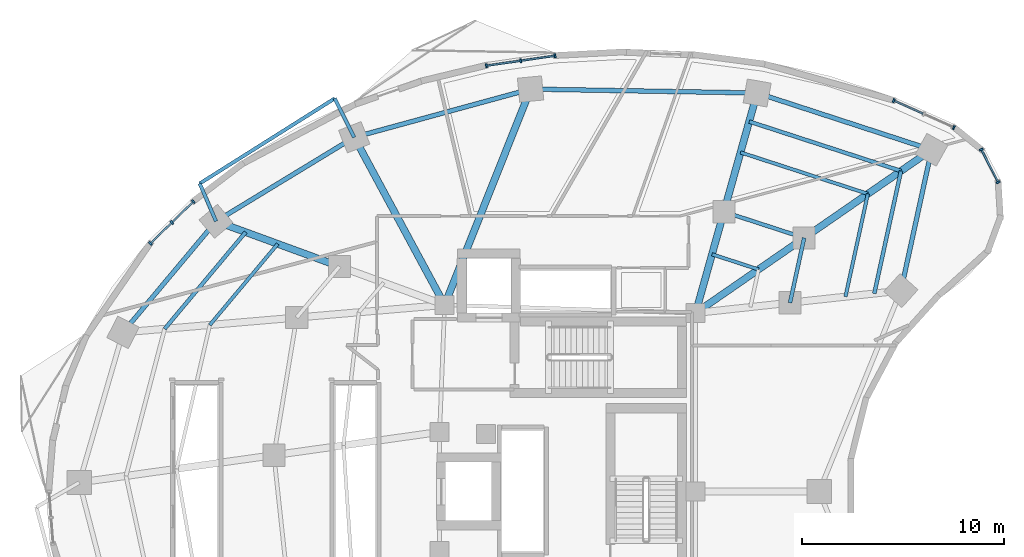
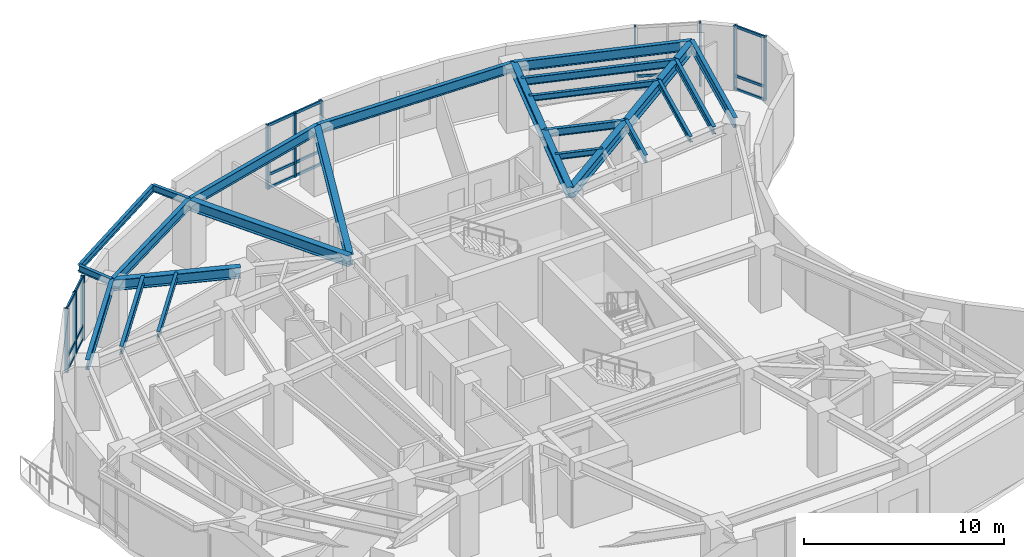
# One storey, part 5 of 12: 27 members, 25 beams, 4 elements without a shape of their own.
"""IFC4 building model written with IfcOpenShell, lengths in metres."""

import ifcopenshell
import ifcopenshell.guid

model = None  # the IFC model being written
_history = None  # IfcOwnerHistory: only IFC2X3 demands one
_inside = {}  # id of a spatial element -> (the spatial element, [elements in it])
_under = {}  # id of a project, library or spatial element -> (it, [spatial elements below it])
_declared = {}  # id of a project -> (the project, [libraries it declares])
_typed = {}  # id of a type object -> (the type object, [elements of that type])
_made_of = {}  # id of a material, layer set ... -> (it, [elements and type objects made of it])


def new_model(schema):
    """Start an empty IFC model of exactly this schema.

    Asked for "IFC4X3", IfcOpenShell would pick the latest addendum, in which some entities
    have other attributes; the version numbers below select the first issue.
    IFC2X3 requires an IfcOwnerHistory on every rooted entity: one is made here for all.
    """
    global model, _history
    if schema == "IFC4X3":
        model = ifcopenshell.file(schema_version=(4, 3, 0, 0))
    else:
        model = ifcopenshell.file(schema=schema)
    _inside.clear()
    _under.clear()
    _declared.clear()
    _typed.clear()
    _made_of.clear()
    _history = None
    if model.schema == "IFC2X3":
        org = make("IfcOrganization", Name="unknown")
        user = make(
            "IfcPersonAndOrganization",
            ThePerson=make("IfcPerson", FamilyName="unknown"),
            TheOrganization=org,
        )
        app = make(
            "IfcApplication",
            ApplicationDeveloper=org,
            Version="unknown",
            ApplicationFullName="unknown",
            ApplicationIdentifier="unknown",
        )
        _history = make(
            "IfcOwnerHistory",
            OwningUser=user,
            OwningApplication=app,
            ChangeAction="ADDED",
            CreationDate=0,
        )
    return model


def make(cls, **values):
    """One entity of the class cls with the attributes given. An attribute that is None is left unset."""
    return model.create_entity(
        cls, **{name: value for name, value in values.items() if value is not None}
    )


def rooted(cls, **values):
    """An entity with a GlobalId (a new one), such as an element, a storey or a relation."""
    return make(cls, GlobalId=ifcopenshell.guid.new(), OwnerHistory=_history, **values)


def si_unit(unit_type, name, prefix=None):
    """IfcSIUnit, for example si_unit("LENGTHUNIT", "METRE", prefix="MILLI")."""
    return make("IfcSIUnit", UnitType=unit_type, Prefix=prefix, Name=name)


def assignment(units):
    """IfcUnitAssignment: the units of a project."""
    return None if units is None else make("IfcUnitAssignment", Units=units)


def point(xyz):
    """IfcCartesianPoint."""
    return None if xyz is None else make("IfcCartesianPoint", Coordinates=xyz)


def direction(xyz):
    """IfcDirection."""
    return None if xyz is None else make("IfcDirection", DirectionRatios=xyz)


def frame(location, z_axis=None, x_axis=None):
    """IfcAxis2Placement3D, a coordinate frame: its origin and axes. An axis left out is left unset."""
    return make(
        "IfcAxis2Placement3D",
        Location=point(location),
        Axis=direction(z_axis),
        RefDirection=direction(x_axis),
    )


def frame_2d(location, x_axis=None):
    """IfcAxis2Placement2D, a coordinate frame in the plane: its origin and x axis."""
    return make(
        "IfcAxis2Placement2D", Location=point(location), RefDirection=direction(x_axis)
    )


def origin():
    """The frame at (0, 0, 0) with its axes left unset."""
    return frame((0.0, 0.0, 0.0))


def origin_2d():
    """The frame at (0, 0) in the plane with its x axis left unset."""
    return frame_2d((0.0, 0.0))


def place(relative_to, where):
    """IfcLocalPlacement: puts the frame where relative to a parent placement (None: the world)."""
    return make(
        "IfcLocalPlacement", PlacementRelTo=relative_to, RelativePlacement=where
    )


def context(
    kind, dimensions, precision=None, world=None, true_north=None, identifier=None
):
    """IfcGeometricRepresentationContext, for example the 3D "Model" context."""
    return make(
        "IfcGeometricRepresentationContext",
        ContextIdentifier=identifier,
        ContextType=kind,
        CoordinateSpaceDimension=dimensions,
        Precision=precision,
        WorldCoordinateSystem=world,
        TrueNorth=true_north,
    )


def subcontext(parent, identifier, kind, view, scale=None):
    """IfcGeometricRepresentationSubContext, for example "Body" below "Model"."""
    return make(
        "IfcGeometricRepresentationSubContext",
        ContextIdentifier=identifier,
        ContextType=kind,
        ParentContext=parent,
        TargetScale=scale,
        TargetView=view,
    )


def project(units=None, contexts=None):
    """IfcProject with its units and contexts."""
    return rooted(
        "IfcProject",
        Name="project",
        RepresentationContexts=contexts,
        UnitsInContext=assignment(units),
    )


def spatial(cls, under=None, at=None, **own):
    """A site, building, storey or space (cls), placed at a placement, below another one or the project."""
    s = rooted(cls, ObjectPlacement=at, **own)
    if under is not None:
        _under.setdefault(under.id(), (under, []))[1].append(s)
    return s


def profile(cls, at=None, kind="AREA", **sizes):
    """A parametric profile (cls). Its sizes go by their IFC names, for example OverallWidth=200.0."""
    return make(cls, ProfileType=kind, Position=at, **sizes)


def rectangle(**sizes):
    """IfcRectangleProfileDef."""
    return profile("IfcRectangleProfileDef", **sizes)


def i_section(**sizes):
    """IfcIShapeProfileDef."""
    return profile("IfcIShapeProfileDef", **sizes)


def extrude(swept, where, along, depth):
    """IfcExtrudedAreaSolid: the profile swept, set in the frame where, extruded along a direction by depth."""
    return make(
        "IfcExtrudedAreaSolid",
        SweptArea=swept,
        Position=where,
        ExtrudedDirection=direction(along),
        Depth=depth,
    )


def shape(context_of_items, identifier, shape_type, items):
    """IfcShapeRepresentation: the items that make up one representation, for example the "Body"."""
    return make(
        "IfcShapeRepresentation",
        ContextOfItems=context_of_items,
        RepresentationIdentifier=identifier,
        RepresentationType=shape_type,
        Items=items,
    )


def material(Name=None, Category=None):
    """IfcMaterial."""
    return make("IfcMaterial", Name=Name, Category=Category)


def layer(
    of_material, thickness, ventilated=None, Name=None, Category=None, Priority=None
):
    """IfcMaterialLayer: one layer of a wall or slab, of a material (None: an air gap)."""
    return make(
        "IfcMaterialLayer",
        Material=of_material,
        LayerThickness=thickness,
        IsVentilated=ventilated,
        Name=Name,
        Category=Category,
        Priority=Priority,
    )


def layer_set(layers, Name=None):
    """IfcMaterialLayerSet."""
    return make("IfcMaterialLayerSet", MaterialLayers=layers, LayerSetName=Name)


def material_profile(
    of_material, cross_section, Name=None, Category=None, Priority=None
):
    """IfcMaterialProfile: a cross section and its material."""
    return make(
        "IfcMaterialProfile",
        Name=Name,
        Material=of_material,
        Profile=cross_section,
        Priority=Priority,
        Category=Category,
    )


def profile_set(profiles, Name=None, composite=None):
    """IfcMaterialProfileSet."""
    return make(
        "IfcMaterialProfileSet",
        Name=Name,
        MaterialProfiles=profiles,
        CompositeProfile=composite,
    )


def made_of(thing, what):
    """Note that an element or type object is made of a material, layer set ...; save() writes the relation."""
    if what is not None:
        _made_of.setdefault(what.id(), (what, []))[1].append(thing)
    return thing


def type_object(cls, material=None, **own):
    """A type object (cls), such as IfcWallType, which elements share."""
    return made_of(rooted(cls, **own), material)


def element(
    cls,
    number,
    at=None,
    inside=None,
    cuts=None,
    type_object=None,
    material=None,
    context=None,
    identifier="Body",
    shape_type=None,
    held_by="IfcProductDefinitionShape",
    body=None,
    shapes=None,
    **own,
):
    """One element of the class cls, such as IfcWall. Its Tag is "e" and its number.

    at: its placement. inside: the storey or other place that contains it. cuts: it is an
    opening in that element (IfcRelVoidsElement). A single representation is given by context,
    identifier, shape_type and body (its items); several are given by shapes. held_by: the class
    of the entity that holds the representations. save() writes the other relations.
    """
    e = rooted(cls, Tag="e%d" % number, ObjectPlacement=at, **own)
    if body is not None:
        shapes = [shape(context, identifier, shape_type, body)]
    if shapes is not None:
        e.Representation = make(held_by, Representations=shapes)
    if inside is not None:
        _inside.setdefault(inside.id(), (inside, []))[1].append(e)
    if cuts is not None:
        rooted(
            "IfcRelVoidsElement", RelatingBuildingElement=cuts, RelatedOpeningElement=e
        )
    if type_object is not None:
        _typed.setdefault(type_object.id(), (type_object, []))[1].append(e)
    return made_of(e, material)


def aggregate(whole, parts):
    """IfcRelAggregates: a whole, such as a stair, and the parts it consists of."""
    return rooted("IfcRelAggregates", RelatingObject=whole, RelatedObjects=parts)


def save(model, path):
    """Write the relations noted so far, then the file.

    IfcRelAggregates (storeys below a building ...), IfcRelContainedInSpatialStructure (elements
    in a storey), IfcRelDefinesByType, IfcRelAssociatesMaterial and IfcRelDeclares: one each for
    every whole, place, type object, material and project.
    """
    for whole, parts in _under.values():
        aggregate(whole, parts)
    for where, things in _inside.values():
        rooted(
            "IfcRelContainedInSpatialStructure",
            RelatedElements=things,
            RelatingStructure=where,
        )
    for kind, things in _typed.values():
        rooted("IfcRelDefinesByType", RelatedObjects=things, RelatingType=kind)
    for what, things in _made_of.values():
        rooted("IfcRelAssociatesMaterial", RelatedObjects=things, RelatingMaterial=what)
    for by, libraries in _declared.values():
        rooted("IfcRelDeclares", RelatingContext=by, RelatedDefinitions=libraries)
    model.write(path)


model = new_model("IFC4")

# Units and contexts
model_context = context("Model", 3, precision=1e-05, world=origin(), true_north=direction((0.0, 1.0)))
body_context = subcontext(model_context, "Body", "Model", "MODEL_VIEW")
ifc_project = project(units=[si_unit("LENGTHUNIT", "METRE"), si_unit("AREAUNIT", "SQUARE_METRE"), si_unit("VOLUMEUNIT", "CUBIC_METRE"), si_unit("PLANEANGLEUNIT", "RADIAN"), si_unit("MASSUNIT", "GRAM", prefix="KILO")], contexts=[model_context])

# Site, building, storey
site_placement = place(None, origin())
site = spatial("IfcSite", under=ifc_project, at=site_placement, CompositionType="ELEMENT")
building_placement = place(site_placement, origin())
building = spatial("IfcBuilding", under=site, at=building_placement, Name="Korentha Bioscience Tower", CompositionType="ELEMENT")
storey_placement = place(building_placement, frame((0.0, 0.0, 136.199951171875)))
storey = spatial("IfcBuildingStorey", under=building, at=storey_placement, Name="L31", CompositionType="ELEMENT", Elevation=136.199951171875)

# Beams
ifc_material_1 = material(Name="Steel S355", Category="steel")
ifc_material_profile_1 = material_profile(ifc_material_1, i_section(OverallWidth=0.18994140625, OverallDepth=0.45703125, WebThickness=0.009033203125, FlangeThickness=0.014404296875, at=origin_2d()), Name="Steel S355")
ifc_profile_set_1 = profile_set([ifc_material_profile_1], Name="Steel S355 (MB-460)")
beam_type_1 = type_object("IfcBeamType", Name="Mid-Ring Tie Girder W460x74", PredefinedType="BEAM", material=ifc_profile_set_1)
beam_1_placement = place(storey_placement, frame((42.93603515625, 39.57470703125, 3.671630859375), z_axis=(-0.95087582253, 0.309572560361, 0.0), x_axis=(-0.309572560361, -0.95087582253, 0.0)))
element("IfcBeam", 1, at=beam_1_placement, inside=storey, type_object=beam_type_1, Name="L31 Mid-Ring Tie Girder 01", PredefinedType="BEAM", context=body_context, shape_type="SweptSolid", body=[
    extrude(i_section(OverallWidth=0.18994140625, OverallDepth=0.45703125, WebThickness=0.009033203125, FlangeThickness=0.014404296875, at=origin_2d()), origin(), (0.0, 0.0, 1.0), 4.186767578125),
])
beam_2_placement = place(storey_placement, frame((42.235595703125, 36.360595703125, 3.671630859375), z_axis=(0.212928773299, 0.977067724112, 0.0), x_axis=(-0.977067724112, 0.212928773299, 0.0)))
element("IfcBeam", 2, at=beam_2_placement, inside=storey, type_object=beam_type_1, Name="L31 Mid-Ring Tie Girder 16", PredefinedType="BEAM", context=body_context, shape_type="SweptSolid", body=[
    extrude(i_section(OverallWidth=0.18994140625, OverallDepth=0.45703125, WebThickness=0.009033203125, FlangeThickness=0.014404296875, at=origin_2d()), origin(), (0.0, 0.0, 1.0), 3.28955078125),
])

# Curtain wall, members
ifc_material_2 = material(Name="Thermally Broken Aluminium Frame", Category="aluminium")
ifc_layer = layer(ifc_material_2, 0.219970703125, Name="Thermally Broken Aluminium Frame")
ifc_layer_set = layer_set([ifc_layer], Name="Thermally Broken Aluminium Frame (CW-T1)")
curtain_wall_type = type_object("IfcCurtainWallType", Name="Standard Bioscience Lab Unitised Curtain Wall CW-T1", PredefinedType="USERDEFINED", material=ifc_layer_set)
curtain_wall_1_placement = place(storey_placement, origin())
curtain_wall_1 = element("IfcCurtainWall", 3, at=curtain_wall_1_placement, inside=storey, type_object=curtain_wall_type, Name="L31 Curtain Wall 01", ObjectType="UNITISED", PredefinedType="USERDEFINED")
ifc_material_3 = material(Name="Anodised Aluminium 6063-T6", Category="aluminium")
ifc_material_profile_2 = material_profile(ifc_material_3, rectangle(XDim=0.090087890625, YDim=0.199951171875, at=origin_2d()), Name="Anodised Aluminium 6063-T6")
ifc_profile_set_2 = profile_set([ifc_material_profile_2], Name="Anodised Aluminium 6063-T6 (CW-MUL)")
member_type_1 = type_object("IfcMemberType", Name="Mullion RECT 90x200", PredefinedType="MULLION", material=ifc_profile_set_2)
member_1_placement = place(storey_placement, frame((50.364013671875, 45.0517578125, 0.0), z_axis=(0.0, 0.0, 1.0), x_axis=(-0.912686563127, 0.408660295952, 0.0)))
member_1 = element("IfcMember", 4, at=member_1_placement, type_object=member_type_1, Name="CW-L31-01 Mullion 1", PredefinedType="MULLION", context=body_context, shape_type="SweptSolid", body=[
    extrude(rectangle(XDim=0.090087890625, YDim=0.199951171875, at=origin_2d()), origin(), (0.0, 0.0, 1.0), 3.900146484375),
])
member_2_placement = place(storey_placement, frame((47.37890625, 46.388427734375, 0.0), z_axis=(0.0, 0.0, 1.0), x_axis=(-0.912686563127, 0.408660295952, 0.0)))
member_2 = element("IfcMember", 5, at=member_2_placement, type_object=member_type_1, Name="CW-L31-01 Mullion 3", PredefinedType="MULLION", context=body_context, shape_type="SweptSolid", body=[
    extrude(rectangle(XDim=0.090087890625, YDim=0.199951171875, at=origin_2d()), origin(), (0.0, 0.0, 1.0), 3.900146484375),
])

curtain_wall_2_placement = place(storey_placement, origin())
curtain_wall_2 = element("IfcCurtainWall", 6, at=curtain_wall_2_placement, inside=storey, type_object=curtain_wall_type, Name="L31 Curtain Wall 07", ObjectType="UNITISED", PredefinedType="USERDEFINED")
member_3_placement = place(storey_placement, frame((30.576416015625, 48.609375, 0.0), z_axis=(0.0, 0.0, 1.0), x_axis=(-0.989738282326, -0.14289203091, 0.0)))
member_3 = element("IfcMember", 7, at=member_3_placement, type_object=member_type_1, Name="CW-L31-07 Mullion 1", PredefinedType="MULLION", context=body_context, shape_type="SweptSolid", body=[
    extrude(rectangle(XDim=0.090087890625, YDim=0.199951171875, at=origin_2d()), origin(), (0.0, 0.0, 1.0), 3.900146484375),
])
member_4_placement = place(storey_placement, frame((28.873291015625, 48.363525390625, 0.0), z_axis=(0.0, 0.0, 1.0), x_axis=(-0.989738282326, -0.14289203091, 0.0)))
member_4 = element("IfcMember", 8, at=member_4_placement, type_object=member_type_1, Name="CW-L31-07 Mullion 2", PredefinedType="MULLION", context=body_context, shape_type="SweptSolid", body=[
    extrude(rectangle(XDim=0.090087890625, YDim=0.199951171875, at=origin_2d()), origin(), (0.0, 0.0, 1.0), 3.900146484375),
])
member_5_placement = place(storey_placement, frame((27.170166015625, 48.11767578125, 0.0), z_axis=(0.0, 0.0, 1.0), x_axis=(-0.989738282326, -0.14289203091, 0.0)))
member_5 = element("IfcMember", 9, at=member_5_placement, type_object=member_type_1, Name="CW-L31-07 Mullion 3", PredefinedType="MULLION", context=body_context, shape_type="SweptSolid", body=[
    extrude(rectangle(XDim=0.090087890625, YDim=0.199951171875, at=origin_2d()), origin(), (0.0, 0.0, 1.0), 3.900146484375),
])

curtain_wall_3_placement = place(storey_placement, origin())
curtain_wall_3 = element("IfcCurtainWall", 10, at=curtain_wall_3_placement, inside=storey, type_object=curtain_wall_type, Name="L31 Curtain Wall 13", ObjectType="UNITISED", PredefinedType="USERDEFINED")
member_6_placement = place(storey_placement, frame((12.631103515625, 41.377197265625, 0.0), z_axis=(0.0, 0.0, 1.0), x_axis=(-0.716095631804, -0.698002182025, 0.0)))
member_6 = element("IfcMember", 11, at=member_6_placement, type_object=member_type_1, Name="CW-L31-13 Mullion 1", PredefinedType="MULLION", context=body_context, shape_type="SweptSolid", body=[
    extrude(rectangle(XDim=0.090087890625, YDim=0.199951171875, at=origin_2d()), origin(), (0.0, 0.0, 1.0), 3.900146484375),
])
member_7_placement = place(storey_placement, frame((11.56689453125, 40.340087890625, 0.0), z_axis=(0.0, 0.0, 1.0), x_axis=(-0.716095631804, -0.698002182025, 0.0)))
member_7 = element("IfcMember", 12, at=member_7_placement, type_object=member_type_1, Name="CW-L31-13 Mullion 2", PredefinedType="MULLION", context=body_context, shape_type="SweptSolid", body=[
    extrude(rectangle(XDim=0.090087890625, YDim=0.199951171875, at=origin_2d()), origin(), (0.0, 0.0, 1.0), 3.900146484375),
])
member_8_placement = place(storey_placement, frame((10.5029296875, 39.302734375, 0.0), z_axis=(0.0, 0.0, 1.0), x_axis=(-0.716095631804, -0.698002182025, 0.0)))
member_8 = element("IfcMember", 13, at=member_8_placement, type_object=member_type_1, Name="CW-L31-13 Mullion 3", PredefinedType="MULLION", context=body_context, shape_type="SweptSolid", body=[
    extrude(rectangle(XDim=0.090087890625, YDim=0.199951171875, at=origin_2d()), origin(), (0.0, 0.0, 1.0), 3.900146484375),
])

curtain_wall_4_placement = place(storey_placement, origin())
curtain_wall_4 = element("IfcCurtainWall", 14, at=curtain_wall_4_placement, inside=storey, type_object=curtain_wall_type, Name="L31 Curtain Wall 61", ObjectType="UNITISED", PredefinedType="USERDEFINED")
member_9_placement = place(storey_placement, frame((52.55859375, 42.337158203125, 0.0), z_axis=(0.0, 0.0, 1.0), x_axis=(-0.457613117169, 0.889151412862, 0.0)))
member_9 = element("IfcMember", 15, at=member_9_placement, type_object=member_type_1, Name="CW-L31-61 Mullion 1", PredefinedType="MULLION", context=body_context, shape_type="SweptSolid", body=[
    extrude(rectangle(XDim=0.090087890625, YDim=0.199951171875, at=origin_2d()), origin(), (0.0, 0.0, 1.0), 3.900146484375),
])
member_10_placement = place(storey_placement, frame((51.722412109375, 43.962158203125, 0.0), z_axis=(0.0, 0.0, 1.0), x_axis=(-0.457613117169, 0.889151412862, 0.0)))
member_10 = element("IfcMember", 16, at=member_10_placement, type_object=member_type_1, Name="CW-L31-61 Mullion 2", PredefinedType="MULLION", context=body_context, shape_type="SweptSolid", body=[
    extrude(rectangle(XDim=0.090087890625, YDim=0.199951171875, at=origin_2d()), origin(), (0.0, 0.0, 1.0), 3.900146484375),
])

# Beams
ifc_material_profile_3 = material_profile(ifc_material_1, i_section(OverallWidth=0.22802734375, OverallDepth=0.60791015625, WebThickness=0.01123046875, FlangeThickness=0.017333984375, at=origin_2d()), Name="Steel S355")
ifc_profile_set_3 = profile_set([ifc_material_profile_3], Name="Steel S355 (SB-610)")
beam_type_2 = type_object("IfcBeamType", Name="Perimeter Ring Spandrel Girder W610x113", PredefinedType="SPANDREL", material=ifc_profile_set_3)
beam_3_placement = place(storey_placement, frame((49.2587890625, 43.947021484375, 3.595947265625), z_axis=(-0.950867758759, 0.309597327755, 0.0), x_axis=(-0.309597327755, -0.950867758759, 0.0)))
element("IfcBeam", 17, at=beam_3_placement, inside=storey, type_object=beam_type_2, Name="L31 Perimeter Spandrel Girder 01", PredefinedType="SPANDREL", context=body_context, shape_type="SweptSolid", body=[
    extrude(i_section(OverallWidth=0.22802734375, OverallDepth=0.60791015625, WebThickness=0.01123046875, FlangeThickness=0.017333984375, at=origin_2d()), origin(), (0.0, 0.0, 1.0), 9.101806640625),
])
beam_4_placement = place(storey_placement, frame((40.604248046875, 46.764892578125, 3.595947265625), z_axis=(-0.999850566826, 0.017287105523, 0.0), x_axis=(-0.017287105523, -0.999850566826, 0.0)))
element("IfcBeam", 18, at=beam_4_placement, inside=storey, type_object=beam_type_2, Name="L31 Perimeter Spandrel Girder 02", PredefinedType="SPANDREL", context=body_context, shape_type="SweptSolid", body=[
    extrude(i_section(OverallWidth=0.22802734375, OverallDepth=0.60791015625, WebThickness=0.01123046875, FlangeThickness=0.017333984375, at=origin_2d()), origin(), (0.0, 0.0, 1.0), 11.24169921875),
])
beam_5_placement = place(storey_placement, frame((29.3642578125, 46.959228515625, 3.595947265625), z_axis=(-0.964659386444, -0.263500034431, 0.0), x_axis=(0.263500034431, -0.964659386444, 0.0)))
element("IfcBeam", 19, at=beam_5_placement, inside=storey, type_object=beam_type_2, Name="L31 Perimeter Spandrel Girder 03", PredefinedType="SPANDREL", context=body_context, shape_type="SweptSolid", body=[
    extrude(i_section(OverallWidth=0.22802734375, OverallDepth=0.60791015625, WebThickness=0.01123046875, FlangeThickness=0.017333984375, at=origin_2d()), origin(), (0.0, 0.0, 1.0), 9.06982421875),
])
beam_6_placement = place(storey_placement, frame((20.614990234375, 44.5693359375, 3.595947265625), z_axis=(-0.854461040474, -0.51951547649, 0.0), x_axis=(0.51951547649, -0.854461040474, 0.0)))
element("IfcBeam", 20, at=beam_6_placement, inside=storey, type_object=beam_type_2, Name="L31 Perimeter Spandrel Girder 04", PredefinedType="SPANDREL", context=body_context, shape_type="SweptSolid", body=[
    extrude(i_section(OverallWidth=0.22802734375, OverallDepth=0.60791015625, WebThickness=0.01123046875, FlangeThickness=0.017333984375, at=origin_2d()), origin(), (0.0, 0.0, 1.0), 8.025146484375),
])
beam_7_placement = place(storey_placement, frame((13.7578125, 40.400146484375, 3.595947265625), z_axis=(-0.642126556076, -0.76659864726, 0.0), x_axis=(0.76659864726, -0.642126556076, 0.0)))
element("IfcBeam", 21, at=beam_7_placement, inside=storey, type_object=beam_type_2, Name="L31 Perimeter Spandrel Girder 05", PredefinedType="SPANDREL", context=body_context, shape_type="SweptSolid", body=[
    extrude(i_section(OverallWidth=0.22802734375, OverallDepth=0.60791015625, WebThickness=0.01123046875, FlangeThickness=0.017333984375, at=origin_2d()), origin(), (0.0, 0.0, 1.0), 7.1884765625),
])
beam_8_placement = place(storey_placement, frame((47.736083984375, 36.959716796875, 3.595947265625), z_axis=(0.212927102256, 0.977068088275, 0.0), x_axis=(-0.977068088275, 0.212927102256, 0.0)))
element("IfcBeam", 22, at=beam_8_placement, inside=storey, type_object=beam_type_2, Name="L31 Perimeter Spandrel Girder 16", PredefinedType="SPANDREL", context=body_context, shape_type="SweptSolid", body=[
    extrude(i_section(OverallWidth=0.22802734375, OverallDepth=0.60791015625, WebThickness=0.01123046875, FlangeThickness=0.017333984375, at=origin_2d()), origin(), (0.0, 0.0, 1.0), 7.1513671875),
])
ifc_material_profile_4 = material_profile(ifc_material_1, i_section(OverallWidth=0.18994140625, OverallDepth=0.45703125, WebThickness=0.009033203125, FlangeThickness=0.014404296875, at=origin_2d()), Name="Steel S355")
ifc_profile_set_4 = profile_set([ifc_material_profile_4], Name="Steel S355 (RB-460)")
beam_type_3 = type_object("IfcBeamType", Name="Radial Laboratory Beam W460x74", PredefinedType="BEAM", material=ifc_profile_set_4)
beam_9_placement = place(storey_placement, frame((47.7412109375, 42.8974609375, 3.671630859375), z_axis=(-0.950866789802, 0.3096003037, 0.0), x_axis=(-0.3096003037, -0.950866789802, 0.0)))
element("IfcBeam", 23, at=beam_9_placement, inside=storey, type_object=beam_type_3, Name="L31 Secondary Floor Beam JSTO-01", PredefinedType="BEAM", context=body_context, shape_type="SweptSolid", body=[
    extrude(i_section(OverallWidth=0.18994140625, OverallDepth=0.45703125, WebThickness=0.009033203125, FlangeThickness=0.014404296875, at=origin_2d()), origin(), (0.0, 0.0, 1.0), 7.921875),
])
beam_10_placement = place(storey_placement, frame((15.227783203125, 39.8623046875, 3.671630859375), z_axis=(-0.642128156066, -0.766597307057, 0.0), x_axis=(0.766597307057, -0.642128156066, 0.0)))
element("IfcBeam", 24, at=beam_10_placement, inside=storey, type_object=beam_type_3, Name="L31 Secondary Floor Beam JSTO-05", PredefinedType="BEAM", context=body_context, shape_type="SweptSolid", body=[
    extrude(i_section(OverallWidth=0.18994140625, OverallDepth=0.45703125, WebThickness=0.009033203125, FlangeThickness=0.014404296875, at=origin_2d()), origin(), (0.0, 0.0, 1.0), 6.257080078125),
])
beam_11_placement = place(storey_placement, frame((46.416015625, 36.81591796875, 3.671630859375), z_axis=(0.21290837934, 0.977072168269, 0.0), x_axis=(-0.977072168269, 0.21290837934, 0.0)))
element("IfcBeam", 25, at=beam_11_placement, inside=storey, type_object=beam_type_3, Name="L31 Secondary Floor Beam JSTO-16", PredefinedType="BEAM", context=body_context, shape_type="SweptSolid", body=[
    extrude(i_section(OverallWidth=0.18994140625, OverallDepth=0.45703125, WebThickness=0.009033203125, FlangeThickness=0.014404296875, at=origin_2d()), origin(), (0.0, 0.0, 1.0), 6.224365234375),
])
ifc_material_profile_5 = material_profile(ifc_material_1, i_section(OverallWidth=0.35009765625, OverallDepth=0.64990234375, WebThickness=0.01611328125, FlangeThickness=0.02490234375, at=origin_2d()), Name="Steel S355")
ifc_profile_set_5 = profile_set([ifc_material_profile_5], Name="Steel S355 (RB-650)")
beam_type_4 = type_object("IfcBeamType", Name="Radial Laboratory Girder CVS 650x208", PredefinedType="BEAM", material=ifc_profile_set_5)
beam_12_placement = place(storey_placement, frame((37.550048828125, 35.85009765625, 3.574951171875), z_axis=(0.822488699387, 0.568781451333, 0.0), x_axis=(-0.568781451333, 0.822488699387, 0.0)))
element("IfcBeam", 26, at=beam_12_placement, inside=storey, type_object=beam_type_4, Name="L31 Inner Radial Girder 01", PredefinedType="BEAM", context=body_context, shape_type="SweptSolid", body=[
    extrude(i_section(OverallWidth=0.35009765625, OverallDepth=0.64990234375, WebThickness=0.01611328125, FlangeThickness=0.02490234375, at=origin_2d()), origin(), (0.0, 0.0, 1.0), 6.54833984375),
])
beam_13_placement = place(storey_placement, frame((42.93603515625, 39.57470703125, 3.574951171875), z_axis=(0.822495056204, 0.568772258922, 0.0), x_axis=(-0.568772258922, 0.822495056204, 0.0)))
element("IfcBeam", 27, at=beam_13_placement, inside=storey, type_object=beam_type_4, Name="L31 Outer Radial Girder 01", PredefinedType="BEAM", context=body_context, shape_type="SweptSolid", body=[
    extrude(i_section(OverallWidth=0.35009765625, OverallDepth=0.64990234375, WebThickness=0.01611328125, FlangeThickness=0.02490234375, at=origin_2d()), origin(), (0.0, 0.0, 1.0), 7.687255859375),
])
beam_14_placement = place(storey_placement, frame((37.550048828125, 35.85009765625, 3.574951171875), z_axis=(0.269447542125, 0.96301506844, 0.0), x_axis=(-0.96301506844, 0.269447542125, 0.0)))
element("IfcBeam", 28, at=beam_14_placement, inside=storey, type_object=beam_type_4, Name="L31 Inner Radial Girder 02", PredefinedType="BEAM", context=body_context, shape_type="SweptSolid", body=[
    extrude(i_section(OverallWidth=0.35009765625, OverallDepth=0.64990234375, WebThickness=0.01611328125, FlangeThickness=0.02490234375, at=origin_2d()), origin(), (0.0, 0.0, 1.0), 5.213623046875),
])
beam_15_placement = place(storey_placement, frame((38.954833984375, 40.870849609375, 3.574951171875), z_axis=(0.269490843458, 0.963002951861, 0.0), x_axis=(-0.963002951861, 0.269490843458, 0.0)))
element("IfcBeam", 29, at=beam_15_placement, inside=storey, type_object=beam_type_4, Name="L31 Outer Radial Girder 02", PredefinedType="BEAM", context=body_context, shape_type="SweptSolid", body=[
    extrude(i_section(OverallWidth=0.35009765625, OverallDepth=0.64990234375, WebThickness=0.01611328125, FlangeThickness=0.02490234375, at=origin_2d()), origin(), (0.0, 0.0, 1.0), 6.120361328125),
])
beam_16_placement = place(storey_placement, frame((25.10009765625, 36.25, 3.574951171875), z_axis=(0.369929528493, 0.929059817207, 0.0), x_axis=(-0.929059817207, 0.369929528493, 0.0)))
element("IfcBeam", 30, at=beam_16_placement, inside=storey, type_object=beam_type_4, Name="L31 Radial Girder 03", PredefinedType="BEAM", context=body_context, shape_type="SweptSolid", body=[
    extrude(i_section(OverallWidth=0.35009765625, OverallDepth=0.64990234375, WebThickness=0.01611328125, FlangeThickness=0.02490234375, at=origin_2d()), origin(), (0.0, 0.0, 1.0), 11.52685546875),
])
beam_17_placement = place(storey_placement, frame((25.10009765625, 36.25, 3.574951171875), z_axis=(-0.474548018732, 0.880229616587, 0.0), x_axis=(-0.880229616587, -0.474548018732, 0.0)))
element("IfcBeam", 31, at=beam_17_placement, inside=storey, type_object=beam_type_4, Name="L31 Radial Girder 04", PredefinedType="BEAM", context=body_context, shape_type="SweptSolid", body=[
    extrude(i_section(OverallWidth=0.35009765625, OverallDepth=0.64990234375, WebThickness=0.01611328125, FlangeThickness=0.02490234375, at=origin_2d()), origin(), (0.0, 0.0, 1.0), 9.451416015625),
])
beam_18_placement = place(storey_placement, frame((19.882568359375, 38.158935546875, 3.574951171875), z_axis=(-0.939100755225, 0.343641923425, 0.0), x_axis=(-0.343641923425, -0.939100755225, 0.0)))
element("IfcBeam", 32, at=beam_18_placement, inside=storey, type_object=beam_type_4, Name="L31 Outer Radial Girder 05", PredefinedType="BEAM", context=body_context, shape_type="SweptSolid", body=[
    extrude(i_section(OverallWidth=0.35009765625, OverallDepth=0.64990234375, WebThickness=0.01611328125, FlangeThickness=0.02490234375, at=origin_2d()), origin(), (0.0, 0.0, 1.0), 6.52197265625),
])
ifc_material_profile_6 = material_profile(ifc_material_1, i_section(OverallWidth=0.1708984375, OverallDepth=0.35498046875, WebThickness=0.007080078125, FlangeThickness=0.01171875, at=origin_2d()), Name="Steel S355")
ifc_profile_set_6 = profile_set([ifc_material_profile_6], Name="Steel S355 (JB-360)")
beam_type_5 = type_object("IfcBeamType", Name="Secondary Laboratory Joist W360x51", PredefinedType="JOIST", material=ifc_profile_set_6)
beam_19_placement = place(storey_placement, frame((46.097412109375, 41.7607421875, 3.72265625), z_axis=(-0.950864890997, 0.309606135387, 0.0), x_axis=(-0.309606135387, -0.950864890997, 0.0)))
element("IfcBeam", 33, at=beam_19_placement, inside=storey, type_object=beam_type_5, Name="L31 Secondary Floor Beam JST-01", PredefinedType="JOIST", context=body_context, shape_type="SweptSolid", body=[
    extrude(i_section(OverallWidth=0.1708984375, OverallDepth=0.35498046875, WebThickness=0.007080078125, FlangeThickness=0.01171875, at=origin_2d()), origin(), (0.0, 0.0, 1.0), 6.644287109375),
])
beam_20_placement = place(storey_placement, frame((40.673828125, 38.01025390625, 3.72265625), z_axis=(-0.950852158547, 0.30964523666, 0.0), x_axis=(-0.30964523666, -0.950852158547, 0.0)))
element("IfcBeam", 34, at=beam_20_placement, inside=storey, type_object=beam_type_5, Name="L31 Inner Bay Joist 01", PredefinedType="JOIST", context=body_context, shape_type="SweptSolid", body=[
    extrude(i_section(OverallWidth=0.1708984375, OverallDepth=0.35498046875, WebThickness=0.007080078125, FlangeThickness=0.01171875, at=origin_2d()), origin(), (0.0, 0.0, 1.0), 2.428466796875),
])
beam_21_placement = place(storey_placement, frame((16.8203125, 39.279541015625, 3.72265625), z_axis=(-0.642140812018, -0.76658670582, 0.0), x_axis=(0.76658670582, -0.642140812018, 0.0)))
element("IfcBeam", 35, at=beam_21_placement, inside=storey, type_object=beam_type_5, Name="L31 Secondary Floor Beam JST-05", PredefinedType="JOIST", context=body_context, shape_type="SweptSolid", body=[
    extrude(i_section(OverallWidth=0.1708984375, OverallDepth=0.35498046875, WebThickness=0.007080078125, FlangeThickness=0.01171875, at=origin_2d()), origin(), (0.0, 0.0, 1.0), 5.247802734375),
])
beam_22_placement = place(storey_placement, frame((44.98583984375, 36.66015625, 3.72265625), z_axis=(0.212932493609, 0.977066913351, 0.0), x_axis=(-0.977066913351, 0.212932493609, 0.0)))
element("IfcBeam", 36, at=beam_22_placement, inside=storey, type_object=beam_type_5, Name="L31 Secondary Floor Beam JST-16", PredefinedType="JOIST", context=body_context, shape_type="SweptSolid", body=[
    extrude(i_section(OverallWidth=0.1708984375, OverallDepth=0.35498046875, WebThickness=0.007080078125, FlangeThickness=0.01171875, at=origin_2d()), origin(), (0.0, 0.0, 1.0), 5.22021484375),
])
ifc_material_profile_7 = material_profile(ifc_material_1, i_section(OverallWidth=0.177978515625, OverallDepth=0.406982421875, WebThickness=0.0078125, FlangeThickness=0.0126953125, at=origin_2d()), Name="Steel S355")
ifc_profile_set_7 = profile_set([ifc_material_profile_7], Name="Steel S355 (CB-410)")
beam_type_6 = type_object("IfcBeamType", Name="Sun-Ledge Cantilever Beam W410x60", PredefinedType="BEAM", material=ifc_profile_set_7)
beam_23_placement = place(storey_placement, frame((20.614990234375, 44.5693359375, 3.698486328125), z_axis=(-0.44852697991, 0.893769292543, 0.0), x_axis=(-0.893769292543, -0.44852697991, 0.0)))
element("IfcBeam", 37, at=beam_23_placement, inside=storey, type_object=beam_type_6, Name="L31 Balcony Cantilever Bracket A-L32-01", PredefinedType="BEAM", context=body_context, shape_type="SweptSolid", body=[
    extrude(i_section(OverallWidth=0.177978515625, OverallDepth=0.406982421875, WebThickness=0.0078125, FlangeThickness=0.0126953125, at=origin_2d()), origin(), (0.0, 0.0, 1.0), 2.155517578125),
])
beam_24_placement = place(storey_placement, frame((13.7578125, 40.400146484375, 3.698486328125), z_axis=(-0.396271043658, 0.918133574137, 0.0), x_axis=(-0.918133574137, -0.396271043658, 0.0)))
element("IfcBeam", 38, at=beam_24_placement, inside=storey, type_object=beam_type_6, Name="L31 Balcony Cantilever Bracket B-L32-01", PredefinedType="BEAM", context=body_context, shape_type="SweptSolid", body=[
    extrude(i_section(OverallWidth=0.177978515625, OverallDepth=0.406982421875, WebThickness=0.0078125, FlangeThickness=0.0126953125, at=origin_2d()), origin(), (0.0, 0.0, 1.0), 2.041015625),
])
beam_25_placement = place(storey_placement, frame((19.648193359375, 46.495849609375, 3.698486328125), z_axis=(-0.846024766913, -0.533143595826, 0.0), x_axis=(0.533143595826, -0.846024766913, 0.0)))
element("IfcBeam", 39, at=beam_25_placement, inside=storey, type_object=beam_type_6, Name="L31 Balcony Edge Trimmer Beam L32-01", PredefinedType="BEAM", context=body_context, shape_type="SweptSolid", body=[
    extrude(i_section(OverallWidth=0.177978515625, OverallDepth=0.406982421875, WebThickness=0.0078125, FlangeThickness=0.0126953125, at=origin_2d()), origin(), (0.0, 0.0, 1.0), 7.91845703125),
])

# Member
ifc_material_profile_8 = material_profile(ifc_material_3, rectangle(XDim=0.090087890625, YDim=0.159912109375, at=origin_2d()), Name="Anodised Aluminium 6063-T6")
ifc_profile_set_8 = profile_set([ifc_material_profile_8], Name="Anodised Aluminium 6063-T6 (CW-TRN)")
member_type_2 = type_object("IfcMemberType", Name="Transom RECT 90x160", PredefinedType="USERDEFINED", material=ifc_profile_set_8)
member_11_placement = place(storey_placement, frame((48.830322265625, 45.738525390625, 0.045166015625), z_axis=(-0.912667864607, 0.408702053962, 0.0), x_axis=(-0.408702053962, -0.912667864607, 0.0)))
member_11 = element("IfcMember", 40, at=member_11_placement, type_object=member_type_2, Name="CW-L31-01 Bay 2 Transom 1", ObjectType="TRANSOM", PredefinedType="USERDEFINED", context=body_context, shape_type="SweptSolid", body=[
    extrude(rectangle(XDim=0.090087890625, YDim=0.159912109375, at=origin_2d()), origin(), (0.0, 0.0, 1.0), 1.54541015625),
])

member_12_placement = place(storey_placement, frame((48.830322265625, 45.738525390625, 0.85009765625), z_axis=(-0.912667864607, 0.408702053962, 0.0), x_axis=(-0.408702053962, -0.912667864607, 0.0)))
member_12 = element("IfcMember", 41, at=member_12_placement, type_object=member_type_2, Name="CW-L31-01 Bay 2 Transom 2", ObjectType="TRANSOM", PredefinedType="USERDEFINED", context=body_context, shape_type="SweptSolid", body=[
    extrude(rectangle(XDim=0.090087890625, YDim=0.159912109375, at=origin_2d()), origin(), (0.0, 0.0, 1.0), 1.54541015625),
])

aggregate(curtain_wall_1, [member_1, member_2, member_11, member_12])

member_13_placement = place(storey_placement, frame((30.53173828125, 48.602783203125, 0.045166015625), z_axis=(-0.989747883164, -0.142825515132, 0.0), x_axis=(0.142825515132, -0.989747883164, 0.0)))
member_13 = element("IfcMember", 42, at=member_13_placement, type_object=member_type_2, Name="CW-L31-07 Bay 1 Transom 1", ObjectType="TRANSOM", PredefinedType="USERDEFINED", context=body_context, shape_type="SweptSolid", body=[
    extrude(rectangle(XDim=0.090087890625, YDim=0.159912109375, at=origin_2d()), origin(), (0.0, 0.0, 1.0), 1.630615234375),
])

member_14_placement = place(storey_placement, frame((30.53173828125, 48.602783203125, 0.85009765625), z_axis=(-0.989747883164, -0.142825515132, 0.0), x_axis=(0.142825515132, -0.989747883164, 0.0)))
member_14 = element("IfcMember", 43, at=member_14_placement, type_object=member_type_2, Name="CW-L31-07 Bay 1 Transom 2", ObjectType="TRANSOM", PredefinedType="USERDEFINED", context=body_context, shape_type="SweptSolid", body=[
    extrude(rectangle(XDim=0.090087890625, YDim=0.159912109375, at=origin_2d()), origin(), (0.0, 0.0, 1.0), 1.630615234375),
])

member_15_placement = place(storey_placement, frame((30.53173828125, 48.602783203125, 3.85498046875), z_axis=(-0.989747883164, -0.142825515132, 0.0), x_axis=(0.142825515132, -0.989747883164, 0.0)))
member_15 = element("IfcMember", 44, at=member_15_placement, type_object=member_type_2, Name="CW-L31-07 Bay 1 Transom 3", ObjectType="TRANSOM", PredefinedType="USERDEFINED", context=body_context, shape_type="SweptSolid", body=[
    extrude(rectangle(XDim=0.090087890625, YDim=0.159912109375, at=origin_2d()), origin(), (0.0, 0.0, 1.0), 1.630615234375),
])

member_16_placement = place(storey_placement, frame((28.82861328125, 48.357177734375, 0.045166015625), z_axis=(-0.989723648346, -0.142993356153, 0.0), x_axis=(0.142993356153, -0.989723648346, 0.0)))
member_16 = element("IfcMember", 45, at=member_16_placement, type_object=member_type_2, Name="CW-L31-07 Bay 2 Transom 1", ObjectType="TRANSOM", PredefinedType="USERDEFINED", context=body_context, shape_type="SweptSolid", body=[
    extrude(rectangle(XDim=0.090087890625, YDim=0.159912109375, at=origin_2d()), origin(), (0.0, 0.0, 1.0), 1.630615234375),
])

member_17_placement = place(storey_placement, frame((28.82861328125, 48.357177734375, 0.85009765625), z_axis=(-0.989723648346, -0.142993356153, 0.0), x_axis=(0.142993356153, -0.989723648346, 0.0)))
member_17 = element("IfcMember", 46, at=member_17_placement, type_object=member_type_2, Name="CW-L31-07 Bay 2 Transom 2", ObjectType="TRANSOM", PredefinedType="USERDEFINED", context=body_context, shape_type="SweptSolid", body=[
    extrude(rectangle(XDim=0.090087890625, YDim=0.159912109375, at=origin_2d()), origin(), (0.0, 0.0, 1.0), 1.630615234375),
])

member_18_placement = place(storey_placement, frame((28.82861328125, 48.357177734375, 3.85498046875), z_axis=(-0.989723648346, -0.142993356153, 0.0), x_axis=(0.142993356153, -0.989723648346, 0.0)))
member_18 = element("IfcMember", 47, at=member_18_placement, type_object=member_type_2, Name="CW-L31-07 Bay 2 Transom 3", ObjectType="TRANSOM", PredefinedType="USERDEFINED", context=body_context, shape_type="SweptSolid", body=[
    extrude(rectangle(XDim=0.090087890625, YDim=0.159912109375, at=origin_2d()), origin(), (0.0, 0.0, 1.0), 1.630615234375),
])

aggregate(curtain_wall_2, [member_3, member_4, member_5, member_13, member_14, member_15, member_16, member_17, member_18])

member_19_placement = place(storey_placement, frame((12.598876953125, 41.345703125, 0.045166015625), z_axis=(-0.716142170971, -0.697954433296, 0.0), x_axis=(0.697954433296, -0.716142170971, 0.0)))
member_19 = element("IfcMember", 48, at=member_19_placement, type_object=member_type_2, Name="CW-L31-13 Bay 1 Transom 1", ObjectType="TRANSOM", PredefinedType="USERDEFINED", context=body_context, shape_type="SweptSolid", body=[
    extrude(rectangle(XDim=0.090087890625, YDim=0.159912109375, at=origin_2d()), origin(), (0.0, 0.0, 1.0), 1.39599609375),
])

member_20_placement = place(storey_placement, frame((12.598876953125, 41.345703125, 0.85009765625), z_axis=(-0.716142170971, -0.697954433296, 0.0), x_axis=(0.697954433296, -0.716142170971, 0.0)))
member_20 = element("IfcMember", 49, at=member_20_placement, type_object=member_type_2, Name="CW-L31-13 Bay 1 Transom 2", ObjectType="TRANSOM", PredefinedType="USERDEFINED", context=body_context, shape_type="SweptSolid", body=[
    extrude(rectangle(XDim=0.090087890625, YDim=0.159912109375, at=origin_2d()), origin(), (0.0, 0.0, 1.0), 1.39599609375),
])

member_21_placement = place(storey_placement, frame((12.598876953125, 41.345703125, 3.85498046875), z_axis=(-0.716142170971, -0.697954433296, 0.0), x_axis=(0.697954433296, -0.716142170971, 0.0)))
member_21 = element("IfcMember", 50, at=member_21_placement, type_object=member_type_2, Name="CW-L31-13 Bay 1 Transom 3", ObjectType="TRANSOM", PredefinedType="USERDEFINED", context=body_context, shape_type="SweptSolid", body=[
    extrude(rectangle(XDim=0.090087890625, YDim=0.159912109375, at=origin_2d()), origin(), (0.0, 0.0, 1.0), 1.39599609375),
])

member_22_placement = place(storey_placement, frame((11.534912109375, 40.30859375, 0.045166015625), z_axis=(-0.716142170971, -0.697954433296, 0.0), x_axis=(0.697954433296, -0.716142170971, 0.0)))
member_22 = element("IfcMember", 51, at=member_22_placement, type_object=member_type_2, Name="CW-L31-13 Bay 2 Transom 1", ObjectType="TRANSOM", PredefinedType="USERDEFINED", context=body_context, shape_type="SweptSolid", body=[
    extrude(rectangle(XDim=0.090087890625, YDim=0.159912109375, at=origin_2d()), origin(), (0.0, 0.0, 1.0), 1.39599609375),
])

member_23_placement = place(storey_placement, frame((11.534912109375, 40.30859375, 0.85009765625), z_axis=(-0.716142170971, -0.697954433296, 0.0), x_axis=(0.697954433296, -0.716142170971, 0.0)))
member_23 = element("IfcMember", 52, at=member_23_placement, type_object=member_type_2, Name="CW-L31-13 Bay 2 Transom 2", ObjectType="TRANSOM", PredefinedType="USERDEFINED", context=body_context, shape_type="SweptSolid", body=[
    extrude(rectangle(XDim=0.090087890625, YDim=0.159912109375, at=origin_2d()), origin(), (0.0, 0.0, 1.0), 1.39599609375),
])

member_24_placement = place(storey_placement, frame((11.534912109375, 40.30859375, 3.85498046875), z_axis=(-0.716142170971, -0.697954433296, 0.0), x_axis=(0.697954433296, -0.716142170971, 0.0)))
member_24 = element("IfcMember", 53, at=member_24_placement, type_object=member_type_2, Name="CW-L31-13 Bay 2 Transom 3", ObjectType="TRANSOM", PredefinedType="USERDEFINED", context=body_context, shape_type="SweptSolid", body=[
    extrude(rectangle(XDim=0.090087890625, YDim=0.159912109375, at=origin_2d()), origin(), (0.0, 0.0, 1.0), 1.39599609375),
])

aggregate(curtain_wall_3, [member_6, member_7, member_8, member_19, member_20, member_21, member_22, member_23, member_24])

member_25_placement = place(storey_placement, frame((52.5380859375, 42.377197265625, 0.045166015625), z_axis=(-0.457636897633, 0.889139173541, 0.0), x_axis=(-0.889139173541, -0.457636897633, 0.0)))
member_25 = element("IfcMember", 54, at=member_25_placement, type_object=member_type_2, Name="CW-L31-61 Bay 1 Transom 1", ObjectType="TRANSOM", PredefinedType="USERDEFINED", context=body_context, shape_type="SweptSolid", body=[
    extrude(rectangle(XDim=0.090087890625, YDim=0.159912109375, at=origin_2d()), origin(), (0.0, 0.0, 1.0), 1.737548828125),
])

member_26_placement = place(storey_placement, frame((52.5380859375, 42.377197265625, 0.85009765625), z_axis=(-0.457636897633, 0.889139173541, 0.0), x_axis=(-0.889139173541, -0.457636897633, 0.0)))
member_26 = element("IfcMember", 55, at=member_26_placement, type_object=member_type_2, Name="CW-L31-61 Bay 1 Transom 2", ObjectType="TRANSOM", PredefinedType="USERDEFINED", context=body_context, shape_type="SweptSolid", body=[
    extrude(rectangle(XDim=0.090087890625, YDim=0.159912109375, at=origin_2d()), origin(), (0.0, 0.0, 1.0), 1.737548828125),
])

member_27_placement = place(storey_placement, frame((52.5380859375, 42.377197265625, 3.85498046875), z_axis=(-0.457636897633, 0.889139173541, 0.0), x_axis=(-0.889139173541, -0.457636897633, 0.0)))
member_27 = element("IfcMember", 56, at=member_27_placement, type_object=member_type_2, Name="CW-L31-61 Bay 1 Transom 3", ObjectType="TRANSOM", PredefinedType="USERDEFINED", context=body_context, shape_type="SweptSolid", body=[
    extrude(rectangle(XDim=0.090087890625, YDim=0.159912109375, at=origin_2d()), origin(), (0.0, 0.0, 1.0), 1.737548828125),
])

aggregate(curtain_wall_4, [member_9, member_10, member_25, member_26, member_27])

save(model, "model.ifc")
